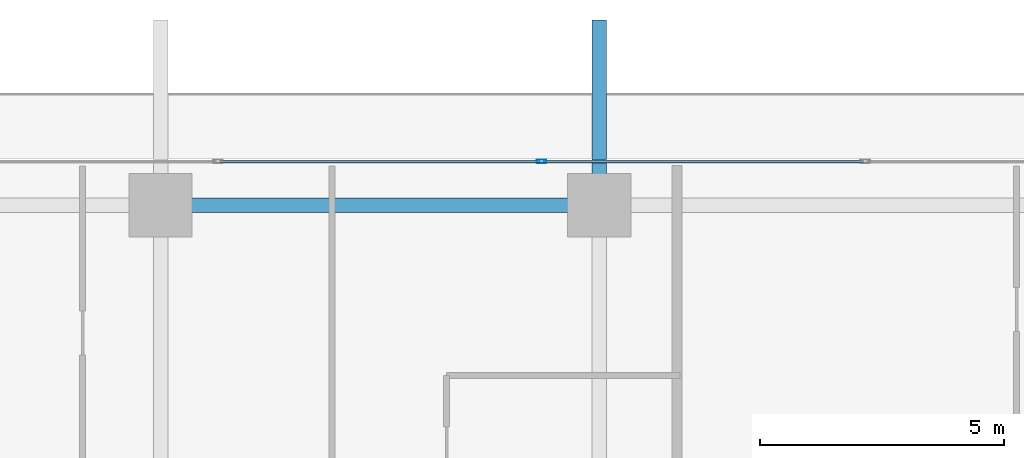
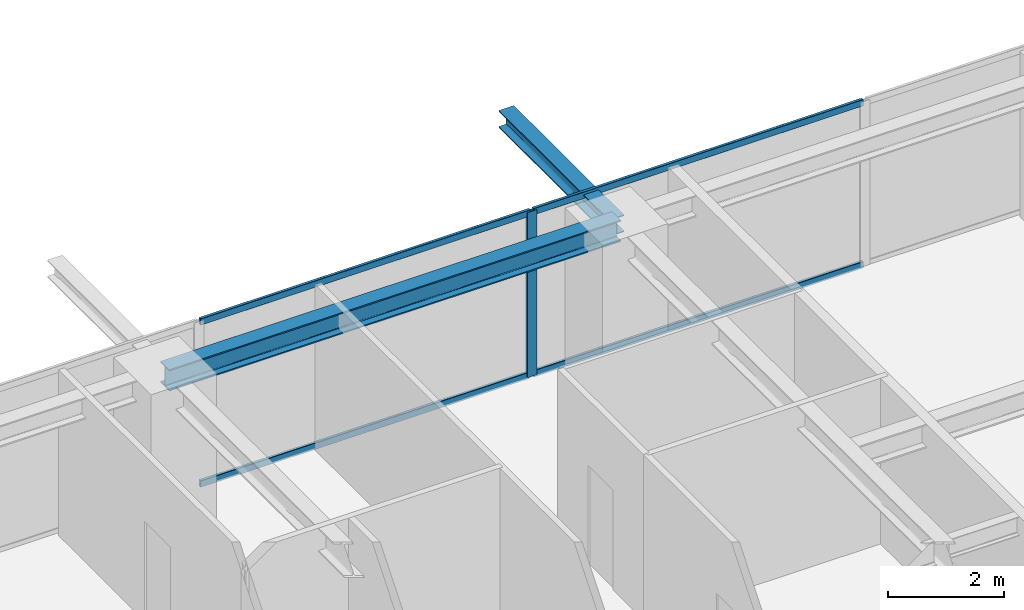
# One storey, part 22 of 38: 5 members, 2 beams, 1 element without a shape of its own.
"""IFC4 building model written with IfcOpenShell, lengths in metres."""

from ifc_helpers import new_model, si_unit, direction, frame, origin, origin_2d, place, context, subcontext, project, spatial, hollow_rectangle, i_section, extrude, source, transform, mapped, material, layer, layer_set, material_profile, profile_set, type_object, element, aggregate, save


model = new_model("IFC4")

# Units and contexts
model_context = context("Model", 3, precision=1e-05, world=origin(), true_north=direction((0.0, 1.0)))
body_context = subcontext(model_context, "Body", "Model", "MODEL_VIEW")
ifc_project = project(units=[si_unit("LENGTHUNIT", "METRE"), si_unit("AREAUNIT", "SQUARE_METRE"), si_unit("VOLUMEUNIT", "CUBIC_METRE"), si_unit("PLANEANGLEUNIT", "RADIAN"), si_unit("MASSUNIT", "GRAM", prefix="KILO")], contexts=[model_context])

# Site, building, storey
site_placement = place(None, origin())
site = spatial("IfcSite", under=ifc_project, at=site_placement, CompositionType="ELEMENT")
building_placement = place(site_placement, origin())
building = spatial("IfcBuilding", under=site, at=building_placement, Name="Serunith Strait Residences", CompositionType="ELEMENT")
storey_placement = place(building_placement, frame((0.0, 0.0, 176.39990234375)))
storey = spatial("IfcBuildingStorey", under=building, at=storey_placement, Name="L44", CompositionType="ELEMENT", Elevation=176.39990234375)

# Beams
ifc_material_1 = material(Name="Steel S355J2", Category="steel")
ifc_material_profile_1 = material_profile(ifc_material_1, i_section(OverallWidth=0.300048828125, OverallDepth=0.449951171875, WebThickness=0.013916015625, FlangeThickness=0.02587890625, FilletRadius=0.027099609375, at=origin_2d()), Name="HEB 450")
ifc_profile_set_1 = profile_set([ifc_material_profile_1], Name="Steel S355J2")
beam_type_1 = type_object("IfcBeamType", Name="BM-HEB450", PredefinedType="BEAM", material=ifc_profile_set_1)
shared_shape_1 = source(origin(), body_context, "Body", "SweptSolid", [
    extrude(i_section(OverallWidth=0.300048828125, OverallDepth=0.449951171875, WebThickness=0.013916015625, FlangeThickness=0.02587890625, FilletRadius=0.027099609375, at=origin_2d()), origin(), (0.0, 0.0, 1.0), 9.0),
])
beam_1_placement = place(storey_placement, frame((36.89990234375, 48.10009765625, 3.26220703125), z_axis=(-1.0, 0.0, 0.0), x_axis=(0.0, -1.0, 0.0)))
element("IfcBeam", 1, at=beam_1_placement, inside=storey, type_object=beam_type_1, Name="L44 Perimeter Ring Beam 10", PredefinedType="BEAM", context=body_context, shape_type="MappedRepresentation", body=[
    mapped(shared_shape_1, transform((0.0, 0.0, 0.0), scale=1.0)),
])
ifc_material_profile_2 = material_profile(ifc_material_1, i_section(OverallWidth=0.300048828125, OverallDepth=0.360107421875, WebThickness=0.012451171875, FlangeThickness=0.0224609375, FilletRadius=0.027099609375, at=origin_2d()), Name="HEB 360")
ifc_profile_set_2 = profile_set([ifc_material_profile_2], Name="Steel S355J2")
beam_type_2 = type_object("IfcBeamType", Name="BM-HEB360", PredefinedType="BEAM", material=ifc_profile_set_2)
shared_shape_2 = source(origin(), body_context, "Body", "SweptSolid", [
    extrude(i_section(OverallWidth=0.300048828125, OverallDepth=0.360107421875, WebThickness=0.012451171875, FlangeThickness=0.0224609375, FilletRadius=0.027099609375, at=origin_2d()), origin(), (0.0, 0.0, 1.0), 3.7998046875),
])
beam_2_placement = place(storey_placement, frame((36.89990234375, 48.10009765625, 3.277099609375), z_axis=(0.0, 1.0, 0.0), x_axis=(-1.0, 0.0, 0.0)))
element("IfcBeam", 2, at=beam_2_placement, inside=storey, type_object=beam_type_2, Name="L45 Cantilevered Balcony Rib TC-N3", PredefinedType="BEAM", context=body_context, shape_type="MappedRepresentation", body=[
    mapped(shared_shape_2, transform((0.0, 0.0, 0.0), scale=1.0)),
])

# Curtain wall, members
ifc_material_2 = material(Name="Pale-Champagne Anodised Aluminium", Category="aluminium")
ifc_layer = layer(ifc_material_2, 0.199951171875, Name="Pale-Champagne Anodised Aluminium")
ifc_layer_set = layer_set([ifc_layer], Name="Pale-Champagne Anodised Aluminium")
curtain_wall_type = type_object("IfcCurtainWallType", Name="CW-SYS2", PredefinedType="NOTDEFINED", material=ifc_layer_set)
curtain_wall_placement = place(storey_placement, origin())
curtain_wall = element("IfcCurtainWall", 3, at=curtain_wall_placement, inside=storey, type_object=curtain_wall_type, Name="L44 N Unitised Fritted Curtain Wall", PredefinedType="NOTDEFINED")
ifc_material_profile_3 = material_profile(ifc_material_2, hollow_rectangle(XDim=0.070068359375, YDim=0.199951171875, WallThickness=0.00390625, InnerFilletRadius=0.006103515625, OuterFilletRadius=0.010009765625, at=origin_2d()), Name="ALU 200x70x4")
ifc_profile_set_3 = profile_set([ifc_material_profile_3], Name="Pale-Champagne Anodised Aluminium")
member_type_1 = type_object("IfcMemberType", Name="CW-SYS2-MULL", PredefinedType="MULLION", material=ifc_profile_set_3)
shared_shape_3 = source(origin(), body_context, "Body", "SweptSolid", [
    extrude(hollow_rectangle(XDim=0.070068359375, YDim=0.199951171875, WallThickness=0.00390625, InnerFilletRadius=0.006103515625, OuterFilletRadius=0.010009765625, at=origin_2d()), origin(), (0.0, 0.0, 1.0), 3.47509765625),
])
member_1_placement = place(storey_placement, frame((35.719970703125, 49.0, 0.0), z_axis=(0.0, 0.0, 1.0), x_axis=(0.0, -1.0, 0.0)))
member_1 = element("IfcMember", 4, at=member_1_placement, type_object=member_type_1, Name="CW-2 mullion 3", PredefinedType="MULLION", context=body_context, shape_type="MappedRepresentation", body=[
    mapped(shared_shape_3, transform((0.0, 0.0, 0.0), scale=1.0)),
])
ifc_material_profile_4 = material_profile(ifc_material_2, hollow_rectangle(XDim=0.06005859375, YDim=0.139892578125, WallThickness=0.00341796875, InnerFilletRadius=0.00537109375, OuterFilletRadius=0.0087890625, at=origin_2d()), Name="ALU 140x60x3.5")
ifc_profile_set_4 = profile_set([ifc_material_profile_4], Name="Pale-Champagne Anodised Aluminium")
member_type_2 = type_object("IfcMemberType", Name="CW-SYS2-TRAN", PredefinedType="USERDEFINED", material=ifc_profile_set_4)
shared_shape_4 = source(origin(), body_context, "Body", "SweptSolid", [
    extrude(hollow_rectangle(XDim=0.06005859375, YDim=0.139892578125, WallThickness=0.00341796875, InnerFilletRadius=0.00537109375, OuterFilletRadius=0.0087890625, at=origin_2d()), origin(), (0.0, 0.0, 1.0), 6.570068359375),
])
member_2_placement = place(storey_placement, frame((42.324951171875, 49.0, 0.030029296875), z_axis=(-1.0, 0.0, 0.0), x_axis=(0.0, -1.0, 0.0)))
member_2 = element("IfcMember", 5, at=member_2_placement, type_object=member_type_2, Name="CW-2 transom 2.1", ObjectType="TRANSOM", PredefinedType="USERDEFINED", context=body_context, shape_type="MappedRepresentation", body=[
    mapped(shared_shape_4, transform((0.0, 0.0, 0.0), scale=1.0)),
])
member_3_placement = place(storey_placement, frame((42.324951171875, 49.0, 3.445068359375), z_axis=(-1.0, 0.0, 0.0), x_axis=(0.0, -1.0, 0.0)))
member_3 = element("IfcMember", 6, at=member_3_placement, type_object=member_type_2, Name="CW-2 transom 2.2", ObjectType="TRANSOM", PredefinedType="USERDEFINED", context=body_context, shape_type="MappedRepresentation", body=[
    mapped(shared_shape_4, transform((0.0, 0.0, 0.0), scale=1.0)),
])
member_4_placement = place(storey_placement, frame((35.68505859375, 49.0, 0.030029296875), z_axis=(-1.0, 0.0, 0.0), x_axis=(0.0, -1.0, 0.0)))
member_4 = element("IfcMember", 7, at=member_4_placement, type_object=member_type_2, Name="CW-2 transom 3.1", ObjectType="TRANSOM", PredefinedType="USERDEFINED", context=body_context, shape_type="MappedRepresentation", body=[
    mapped(shared_shape_4, transform((0.0, 0.0, 0.0), scale=1.0)),
])
member_5_placement = place(storey_placement, frame((35.68505859375, 49.0, 3.445068359375), z_axis=(-1.0, 0.0, 0.0), x_axis=(0.0, -1.0, 0.0)))
member_5 = element("IfcMember", 8, at=member_5_placement, type_object=member_type_2, Name="CW-2 transom 3.2", ObjectType="TRANSOM", PredefinedType="USERDEFINED", context=body_context, shape_type="MappedRepresentation", body=[
    mapped(shared_shape_4, transform((0.0, 0.0, 0.0), scale=1.0)),
])
aggregate(curtain_wall, [member_1, member_2, member_3, member_4, member_5])

save(model, "model.ifc")
